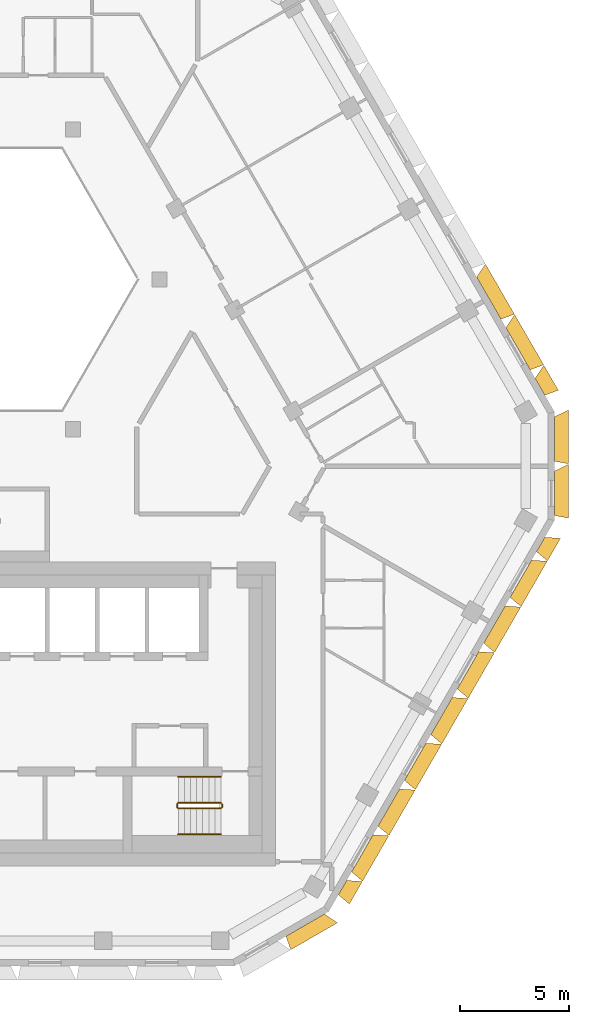
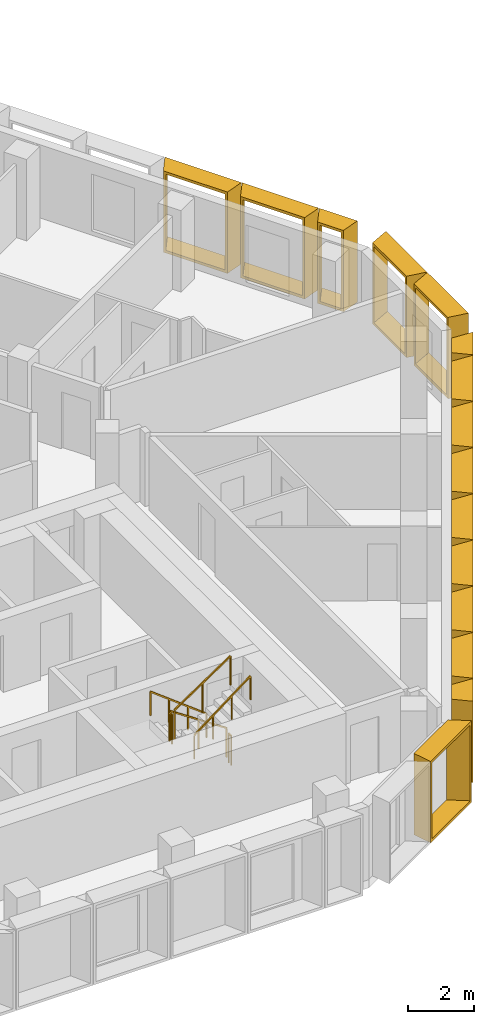
# One storey, part 14 of 15: 15 shading devices, 6 railings.
"""IFC4 building model written with IfcOpenShell, lengths in metres."""

from ifc_helpers import new_model, entity, si_unit, direction, frame, origin, origin_2d, place, context, subcontext, project, spatial, rectangle, extrude, source, transform, mapped, material, type_object, type_shapes, element, save


model = new_model("IFC4")

# Units and contexts
model_context = context("Model", 3, precision=1e-05, world=origin(), true_north=direction((0.0, 1.0)))
body_context = subcontext(model_context, "Body", "Model", "MODEL_VIEW")
ifc_project = project(units=[si_unit("LENGTHUNIT", "METRE"), si_unit("AREAUNIT", "SQUARE_METRE"), si_unit("VOLUMEUNIT", "CUBIC_METRE"), si_unit("PLANEANGLEUNIT", "RADIAN"), si_unit("MASSUNIT", "GRAM", prefix="KILO")], contexts=[model_context])

# Site, building, storey
site_placement = place(None, origin())
site = spatial("IfcSite", under=ifc_project, at=site_placement, CompositionType="ELEMENT")
building_placement = place(site_placement, origin())
building = spatial("IfcBuilding", under=site, at=building_placement, Name="Beryl Residences", CompositionType="ELEMENT")
storey_placement = place(building_placement, frame((0.0, 0.0, 187.199951171875)))
storey = spatial("IfcBuildingStorey", under=building, at=storey_placement, Name="L57", CompositionType="ELEMENT", Elevation=187.199951171875)

# Shading devices
ifc_material_1 = material(Name="Aluminium pale anodised", Category="aluminium")
shading_device_type_1 = type_object("IfcShadingDeviceType", Name="FR122-65C OUTER SKIN frame 650 mm deep, splay 10/26 deg, 1220 x 3000 mm cell", PredefinedType="USERDEFINED", material=ifc_material_1)
cartesian_point_1 = entity("IfcCartesianPoint", [-0.384033203125, 0.0])
cartesian_point_2 = entity("IfcCartesianPoint", [-0.302734375, 0.10009765625])
cartesian_point_3 = entity("IfcCartesianPoint", [-0.49853515625, 0.0])
cartesian_point_4 = entity("IfcCartesianPoint", [-0.41748046875, 0.10009765625])
shared_shape_1 = source(origin(), body_context, "Body", "SweptSolid", [
    entity("IfcExtrudedAreaSolidTapered", entity("IfcArbitraryProfileDefWithVoids", "AREA", None, entity("IfcPolyline", [cartesian_point_1, entity("IfcCartesianPoint", [0.384033203125, 0.0]), entity("IfcCartesianPoint", [0.384033203125, 3.0]), entity("IfcCartesianPoint", [-0.384033203125, 3.0]), cartesian_point_1]), [entity("IfcPolyline", [cartesian_point_2, entity("IfcCartesianPoint", [0.294921875, 0.10009765625]), entity("IfcCartesianPoint", [0.294921875, 2.89990234375]), entity("IfcCartesianPoint", [-0.302734375, 2.89990234375]), cartesian_point_2])]), entity("IfcAxis2Placement3D", entity("IfcCartesianPoint", [0.0, 0.0, 0.0]), entity("IfcDirection", [0.0, 1.0, 0.0]), entity("IfcDirection", [-1.0, 0.0, 0.0])), entity("IfcDirection", [0.0, 0.0, 1.0]), 0.64990234375, entity("IfcArbitraryProfileDefWithVoids", "AREA", None, entity("IfcPolyline", [cartesian_point_3, entity("IfcCartesianPoint", [0.700927734375, 0.0]), entity("IfcCartesianPoint", [0.700927734375, 3.0]), entity("IfcCartesianPoint", [-0.49853515625, 3.0]), cartesian_point_3]), [entity("IfcPolyline", [cartesian_point_4, entity("IfcCartesianPoint", [0.612060546875, 0.10009765625]), entity("IfcCartesianPoint", [0.612060546875, 2.89990234375]), entity("IfcCartesianPoint", [-0.41748046875, 2.89990234375]), cartesian_point_4])])),
])
type_shapes(shading_device_type_1, [shared_shape_1])
for number, where, z_axis, x_axis, name in (
    (1, (16.39697265625, -19.9990234375, 0.0), (0.0, 0.0, 1.0), (-0.5, -0.866025403784, 0.0), "FR122-65C frame L57 SE 1"),
    (2, (25.51611328125, -4.202880859375, 0.0), (0.0, 0.0, 1.0), (-0.5, -0.866025403784, 0.0), "FR122-65C frame L57 SE 9"),
):
    element("IfcShadingDevice", number, at=place(storey_placement, frame(where, z_axis=z_axis, x_axis=x_axis)), inside=storey, type_object=shading_device_type_1, Name=name, ObjectType="OUTER SKIN", PredefinedType="USERDEFINED", context=body_context, shape_type="MappedRepresentation", body=[
        mapped(shared_shape_1, transform((0.0, 0.0, 0.0))),
    ])
ifc_material_2 = material(Name="Aluminium pale anodised", Category="aluminium")
shading_device_type_2 = type_object("IfcShadingDeviceType", Name="FR135-65C OUTER SKIN frame 650 mm deep, splay 10/26 deg, 1350 x 3000 mm cell", PredefinedType="USERDEFINED", material=ifc_material_2)
cartesian_point_5 = entity("IfcCartesianPoint", [-0.448974609375, 0.0])
cartesian_point_6 = entity("IfcCartesianPoint", [-0.36767578125, 0.10009765625])
cartesian_point_7 = entity("IfcCartesianPoint", [-0.563720703125, 0.0])
cartesian_point_8 = entity("IfcCartesianPoint", [-0.482421875, 0.10009765625])
shared_shape_2 = source(origin(), body_context, "Body", "SweptSolid", [
    entity("IfcExtrudedAreaSolidTapered", entity("IfcArbitraryProfileDefWithVoids", "AREA", None, entity("IfcPolyline", [cartesian_point_5, entity("IfcCartesianPoint", [0.448974609375, 0.0]), entity("IfcCartesianPoint", [0.448974609375, 3.0]), entity("IfcCartesianPoint", [-0.448974609375, 3.0]), cartesian_point_5]), [entity("IfcPolyline", [cartesian_point_6, entity("IfcCartesianPoint", [0.360107421875, 0.10009765625]), entity("IfcCartesianPoint", [0.360107421875, 2.89990234375]), entity("IfcCartesianPoint", [-0.36767578125, 2.89990234375]), cartesian_point_6])]), entity("IfcAxis2Placement3D", entity("IfcCartesianPoint", [0.0, 0.0, 0.0]), entity("IfcDirection", [0.0, 1.0, 0.0]), entity("IfcDirection", [-1.0, 0.0, 0.0])), entity("IfcDirection", [0.0, 0.0, 1.0]), 0.64990234375, entity("IfcArbitraryProfileDefWithVoids", "AREA", None, entity("IfcPolyline", [cartesian_point_7, entity("IfcCartesianPoint", [0.76611328125, 0.0]), entity("IfcCartesianPoint", [0.76611328125, 3.0]), entity("IfcCartesianPoint", [-0.563720703125, 3.0]), cartesian_point_7]), [entity("IfcPolyline", [cartesian_point_8, entity("IfcCartesianPoint", [0.677001953125, 0.10009765625]), entity("IfcCartesianPoint", [0.677001953125, 2.89990234375]), entity("IfcCartesianPoint", [-0.482421875, 2.89990234375]), cartesian_point_8])])),
])
type_shapes(shading_device_type_2, [shared_shape_2])
shading_device_placement = place(storey_placement, frame((25.485107421875, 3.056884765625, 0.0), z_axis=(0.0, 0.0, 1.0), x_axis=(0.5, -0.866025403784, 0.0)))
element("IfcShadingDevice", 3, at=shading_device_placement, inside=storey, type_object=shading_device_type_2, Name="FR135-65C frame L57 NE 1", ObjectType="OUTER SKIN", PredefinedType="USERDEFINED", context=body_context, shape_type="MappedRepresentation", body=[
    mapped(shared_shape_2, transform((0.0, 0.0, 0.0))),
])
ifc_material_3 = material(Name="Aluminium pale anodised", Category="aluminium")
shading_device_type_3 = type_object("IfcShadingDeviceType", Name="FR243-65C OUTER SKIN frame 650 mm deep, splay 10/26 deg, 2430 x 3000 mm cell", PredefinedType="USERDEFINED", material=ifc_material_3)
cartesian_point_9 = entity("IfcCartesianPoint", [-0.989013671875, 0.0])
cartesian_point_10 = entity("IfcCartesianPoint", [-0.90771484375, 0.10009765625])
cartesian_point_11 = entity("IfcCartesianPoint", [-1.103515625, 0.0])
cartesian_point_12 = entity("IfcCartesianPoint", [-1.0224609375, 0.10009765625])
shared_shape_3 = source(origin(), body_context, "Body", "SweptSolid", [
    entity("IfcExtrudedAreaSolidTapered", entity("IfcArbitraryProfileDefWithVoids", "AREA", None, entity("IfcPolyline", [cartesian_point_9, entity("IfcCartesianPoint", [0.989013671875, 0.0]), entity("IfcCartesianPoint", [0.989013671875, 3.0]), entity("IfcCartesianPoint", [-0.989013671875, 3.0]), cartesian_point_9]), [entity("IfcPolyline", [cartesian_point_10, entity("IfcCartesianPoint", [0.89990234375, 0.10009765625]), entity("IfcCartesianPoint", [0.89990234375, 2.89990234375]), entity("IfcCartesianPoint", [-0.90771484375, 2.89990234375]), cartesian_point_10])]), entity("IfcAxis2Placement3D", entity("IfcCartesianPoint", [0.0, 0.0, 0.0]), entity("IfcDirection", [0.0, 1.0, 0.0]), entity("IfcDirection", [-1.0, 0.0, 0.0])), entity("IfcDirection", [0.0, 0.0, 1.0]), 0.64990234375, entity("IfcArbitraryProfileDefWithVoids", "AREA", None, entity("IfcPolyline", [cartesian_point_11, entity("IfcCartesianPoint", [1.305908203125, 0.0]), entity("IfcCartesianPoint", [1.305908203125, 3.0]), entity("IfcCartesianPoint", [-1.103515625, 3.0]), cartesian_point_11]), [entity("IfcPolyline", [cartesian_point_12, entity("IfcCartesianPoint", [1.217041015625, 0.10009765625]), entity("IfcCartesianPoint", [1.217041015625, 2.89990234375]), entity("IfcCartesianPoint", [-1.0224609375, 2.89990234375]), cartesian_point_12])])),
])
type_shapes(shading_device_type_3, [shared_shape_3])
for number, where, z_axis, x_axis, name in (
    (4, (17.30908203125, -18.4189453125, 0.0), (0.0, 0.0, 1.0), (-0.5, -0.866025403784, 0.0), "FR243-65C frame L57 SE 2"),
    (5, (18.52490234375, -16.31298828125, 0.0), (0.0, 0.0, 1.0), (-0.5, -0.866025403784, 0.0), "FR243-65C frame L57 SE 3"),
    (6, (19.740966796875, -14.20703125, 0.0), (0.0, 0.0, 1.0), (-0.5, -0.866025403784, 0.0), "FR243-65C frame L57 SE 4"),
    (7, (20.95703125, -12.10107421875, 0.0), (0.0, 0.0, 1.0), (-0.5, -0.866025403784, 0.0), "FR243-65C frame L57 SE 5"),
    (8, (22.172119140625, -9.9951171875, 0.0), (0.0, 0.0, 1.0), (-0.5, -0.866025403784, 0.0), "FR243-65C frame L57 SE 6"),
    (9, (23.387939453125, -7.888916015625, 0.0), (0.0, 0.0, 1.0), (-0.5, -0.866025403784, 0.0), "FR243-65C frame L57 SE 7"),
    (10, (24.60400390625, -5.781982421875, 0.0), (0.0, 0.0, 1.0), (-0.5, -0.866025403784, 0.0), "FR243-65C frame L57 SE 8"),
):
    element("IfcShadingDevice", number, at=place(storey_placement, frame(where, z_axis=z_axis, x_axis=x_axis)), inside=storey, type_object=shading_device_type_3, Name=name, ObjectType="OUTER SKIN", PredefinedType="USERDEFINED", context=body_context, shape_type="MappedRepresentation", body=[
        mapped(shared_shape_3, transform((0.0, 0.0, 0.0))),
    ])
ifc_material_4 = material(Name="Aluminium pale anodised", Category="aluminium")
shading_device_type_4 = type_object("IfcShadingDeviceType", Name="FR250-65C OUTER SKIN frame 650 mm deep, splay 10/26 deg, 2500 x 3000 mm cell", PredefinedType="USERDEFINED", material=ifc_material_4)
cartesian_point_13 = entity("IfcCartesianPoint", [-1.02392578125, 0.0])
cartesian_point_14 = entity("IfcCartesianPoint", [-0.94287109375, 0.10009765625])
cartesian_point_15 = entity("IfcCartesianPoint", [-1.138671875, 0.0])
cartesian_point_16 = entity("IfcCartesianPoint", [-1.057373046875, 0.10009765625])
shared_shape_4 = source(origin(), body_context, "Body", "SweptSolid", [
    entity("IfcExtrudedAreaSolidTapered", entity("IfcArbitraryProfileDefWithVoids", "AREA", None, entity("IfcPolyline", [cartesian_point_13, entity("IfcCartesianPoint", [1.02392578125, 0.0]), entity("IfcCartesianPoint", [1.02392578125, 3.0]), entity("IfcCartesianPoint", [-1.02392578125, 3.0]), cartesian_point_13]), [entity("IfcPolyline", [cartesian_point_14, entity("IfcCartesianPoint", [0.93505859375, 0.10009765625]), entity("IfcCartesianPoint", [0.93505859375, 2.89990234375]), entity("IfcCartesianPoint", [-0.94287109375, 2.89990234375]), cartesian_point_14])]), entity("IfcAxis2Placement3D", entity("IfcCartesianPoint", [0.0, 0.0, 0.0]), entity("IfcDirection", [0.0, 1.0, 0.0]), entity("IfcDirection", [-1.0, 0.0, 0.0])), entity("IfcDirection", [0.0, 0.0, 1.0]), 0.64990234375, entity("IfcArbitraryProfileDefWithVoids", "AREA", None, entity("IfcPolyline", [cartesian_point_15, entity("IfcCartesianPoint", [1.341064453125, 0.0]), entity("IfcCartesianPoint", [1.341064453125, 3.0]), entity("IfcCartesianPoint", [-1.138671875, 3.0]), cartesian_point_15]), [entity("IfcPolyline", [cartesian_point_16, entity("IfcCartesianPoint", [1.251953125, 0.10009765625]), entity("IfcCartesianPoint", [1.251953125, 2.89990234375]), entity("IfcCartesianPoint", [-1.057373046875, 2.89990234375]), cartesian_point_16])])),
])
type_shapes(shading_device_type_4, [shared_shape_4])
for number, where, z_axis, x_axis, name in (
    (11, (14.677978515625, -21.72509765625, 0.0), (0.0, 0.0, 1.0), (-0.866025403784, -0.5, 0.0), "FR250-65C frame L57 S-SE 2"),
    (12, (26.154052734375, -1.85009765625, 0.0), (0.0, 0.0, 1.0), (0.0, -1.0, 0.0), "FR250-65C frame L57 SE-NE 1"),
    (13, (26.154052734375, 0.64990234375, 0.0), (0.0, 0.0, 1.0), (0.0, -1.0, 0.0), "FR250-65C frame L57 SE-NE 2"),
):
    element("IfcShadingDevice", number, at=place(storey_placement, frame(where, z_axis=z_axis, x_axis=x_axis)), inside=storey, type_object=shading_device_type_4, Name=name, ObjectType="OUTER SKIN", PredefinedType="USERDEFINED", context=body_context, shape_type="MappedRepresentation", body=[
        mapped(shared_shape_4, transform((0.0, 0.0, 0.0))),
    ])
ifc_material_5 = material(Name="Aluminium pale anodised", Category="aluminium")
shading_device_type_5 = type_object("IfcShadingDeviceType", Name="FR269-65C OUTER SKIN frame 650 mm deep, splay 10/26 deg, 2690 x 3000 mm cell", PredefinedType="USERDEFINED", material=ifc_material_5)
cartesian_point_17 = entity("IfcCartesianPoint", [-1.118896484375, 0.0])
cartesian_point_18 = entity("IfcCartesianPoint", [-1.037841796875, 0.10009765625])
cartesian_point_19 = entity("IfcCartesianPoint", [-1.233642578125, 0.0])
cartesian_point_20 = entity("IfcCartesianPoint", [-1.15234375, 0.10009765625])
shared_shape_5 = source(origin(), body_context, "Body", "SweptSolid", [
    entity("IfcExtrudedAreaSolidTapered", entity("IfcArbitraryProfileDefWithVoids", "AREA", None, entity("IfcPolyline", [cartesian_point_17, entity("IfcCartesianPoint", [1.118896484375, 0.0]), entity("IfcCartesianPoint", [1.118896484375, 3.0]), entity("IfcCartesianPoint", [-1.118896484375, 3.0]), cartesian_point_17]), [entity("IfcPolyline", [cartesian_point_18, entity("IfcCartesianPoint", [1.030029296875, 0.10009765625]), entity("IfcCartesianPoint", [1.030029296875, 2.89990234375]), entity("IfcCartesianPoint", [-1.037841796875, 2.89990234375]), cartesian_point_18])]), entity("IfcAxis2Placement3D", entity("IfcCartesianPoint", [0.0, 0.0, 0.0]), entity("IfcDirection", [0.0, 1.0, 0.0]), entity("IfcDirection", [-1.0, 0.0, 0.0])), entity("IfcDirection", [0.0, 0.0, 1.0]), 0.64990234375, entity("IfcArbitraryProfileDefWithVoids", "AREA", None, entity("IfcPolyline", [cartesian_point_19, entity("IfcCartesianPoint", [1.43603515625, 0.0]), entity("IfcCartesianPoint", [1.43603515625, 3.0]), entity("IfcCartesianPoint", [-1.233642578125, 3.0]), cartesian_point_19]), [entity("IfcPolyline", [cartesian_point_20, entity("IfcCartesianPoint", [1.346923828125, 0.10009765625]), entity("IfcCartesianPoint", [1.346923828125, 2.89990234375]), entity("IfcCartesianPoint", [-1.15234375, 2.89990234375]), cartesian_point_20])])),
])
type_shapes(shading_device_type_5, [shared_shape_5])
for number, where, z_axis, x_axis, name in (
    (14, (24.47607421875, 4.805908203125, 0.0), (0.0, 0.0, 1.0), (0.5, -0.866025403784, 0.0), "FR269-65C frame L57 NE 2"),
    (15, (23.1298828125, 7.136962890625, 0.0), (0.0, 0.0, 1.0), (0.5, -0.866025403784, 0.0), "FR269-65C frame L57 NE 3"),
):
    element("IfcShadingDevice", number, at=place(storey_placement, frame(where, z_axis=z_axis, x_axis=x_axis)), inside=storey, type_object=shading_device_type_5, Name=name, ObjectType="OUTER SKIN", PredefinedType="USERDEFINED", context=body_context, shape_type="MappedRepresentation", body=[
        mapped(shared_shape_5, transform((0.0, 0.0, 0.0))),
    ])

# Railings
ifc_material_6 = material(Name="Stainless steel balustrade with glass infill", Category="steel")
railing_type_1 = type_object("IfcRailingType", Name="SG1 stair guard 1100 mm", PredefinedType="GUARDRAIL", material=ifc_material_6)
railing_1_placement = place(storey_placement, frame((10.800048828125, -16.10009765625, 0.1875)))
element("IfcRailing", 16, at=railing_1_placement, inside=storey, type_object=railing_type_1, Name="L57 ST-3 stair guard 1", PredefinedType="GUARDRAIL", context=body_context, shape_type="SweptSolid", body=[
    extrude(rectangle(XDim=0.048095703125, YDim=0.048095703125, at=origin_2d()), frame((0.0, 0.0, 1.076171875), z_axis=(-0.830902050051, 0.0, 0.556418712142), x_axis=(0.0, -1.0, 0.0)), (0.0, 0.0, 1.0), 2.35888671875),
    extrude(rectangle(XDim=0.0419921875, YDim=0.0419921875, at=origin_2d()), origin(), (0.0, 0.0, 1.0), 1.052001953125),
    extrude(rectangle(XDim=0.0419921875, YDim=0.0419921875, at=origin_2d()), frame((-0.97998046875, 0.0, 0.65625)), (0.0, 0.0, 1.0), 1.052001953125),
    extrude(rectangle(XDim=0.0419921875, YDim=0.0419921875, at=origin_2d()), frame((-1.9599609375, 0.0, 1.3125)), (0.0, 0.0, 1.0), 1.052001953125),
])
railing_2_placement = place(storey_placement, frame((8.7900390625, -16.14990234375, 1.5)))
element("IfcRailing", 17, at=railing_2_placement, inside=storey, type_object=railing_type_1, Name="L57 ST-3 stair guard 2", PredefinedType="GUARDRAIL", context=body_context, shape_type="SweptSolid", body=[
    extrude(rectangle(XDim=0.048095703125, YDim=0.048095703125, at=origin_2d()), frame((0.0, 0.0, 1.076171875), z_axis=(0.0, -1.0, 0.0), x_axis=(1.0, 0.0, 0.0)), (0.0, 0.0, 1.0), 0.150146484375),
    extrude(rectangle(XDim=0.0419921875, YDim=0.0419921875, at=origin_2d()), origin(), (0.0, 0.0, 1.0), 1.052001953125),
    extrude(rectangle(XDim=0.0419921875, YDim=0.0419921875, at=origin_2d()), frame((0.0, -0.150146484375, 0.0)), (0.0, 0.0, 1.0), 1.052001953125),
])
railing_3_placement = place(storey_placement, frame((8.840087890625, -16.35009765625, 1.6875)))
element("IfcRailing", 18, at=railing_3_placement, inside=storey, type_object=railing_type_1, Name="L57 ST-3 stair guard 3", PredefinedType="GUARDRAIL", context=body_context, shape_type="SweptSolid", body=[
    extrude(rectangle(XDim=0.048095703125, YDim=0.048095703125, at=origin_2d()), frame((0.0, 0.0, 1.076171875), z_axis=(0.830902050051, 0.0, 0.556418712142), x_axis=(0.0, 1.0, 0.0)), (0.0, 0.0, 1.0), 2.35888671875),
    extrude(rectangle(XDim=0.0419921875, YDim=0.0419921875, at=origin_2d()), origin(), (0.0, 0.0, 1.0), 1.052001953125),
    extrude(rectangle(XDim=0.0419921875, YDim=0.0419921875, at=origin_2d()), frame((0.97998046875, 0.0, 0.65625)), (0.0, 0.0, 1.0), 1.052001953125),
    extrude(rectangle(XDim=0.0419921875, YDim=0.0419921875, at=origin_2d()), frame((1.9599609375, 0.0, 1.3125)), (0.0, 0.0, 1.0), 1.052001953125),
])
railing_4_placement = place(storey_placement, frame((10.85009765625, -16.14990234375, 0.0)))
element("IfcRailing", 19, at=railing_4_placement, inside=storey, type_object=railing_type_1, Name="L57 ST-3 stair guard 4", PredefinedType="GUARDRAIL", context=body_context, shape_type="SweptSolid", body=[
    extrude(rectangle(XDim=0.048095703125, YDim=0.048095703125, at=origin_2d()), frame((0.0, 0.0, 1.076171875), z_axis=(0.0, -1.0, 0.0), x_axis=(1.0, 0.0, 0.0)), (0.0, 0.0, 1.0), 0.150146484375),
    extrude(rectangle(XDim=0.0419921875, YDim=0.0419921875, at=origin_2d()), origin(), (0.0, 0.0, 1.0), 1.052001953125),
    extrude(rectangle(XDim=0.0419921875, YDim=0.0419921875, at=origin_2d()), frame((0.0, -0.150146484375, 0.0)), (0.0, 0.0, 1.0), 1.052001953125),
])
ifc_material_7 = material(Name="Stainless steel handrail", Category="steel")
railing_type_2 = type_object("IfcRailingType", Name="SRL1 stair handrail 900 mm", PredefinedType="HANDRAIL", material=ifc_material_7)
railing_5_placement = place(storey_placement, frame((10.800048828125, -14.89990234375, 0.1875)))
element("IfcRailing", 20, at=railing_5_placement, inside=storey, type_object=railing_type_2, Name="L57 ST-3 stair handrail 1", PredefinedType="HANDRAIL", context=body_context, shape_type="SweptSolid", body=[
    extrude(rectangle(XDim=0.048095703125, YDim=0.048095703125, at=origin_2d()), frame((0.0, 0.0, 0.8759765625), z_axis=(-0.794121922505, 0.0, 0.607758481798), x_axis=(0.0, -1.0, 0.0)), (0.0, 0.0, 1.0), 2.468017578125),
    extrude(rectangle(XDim=0.0419921875, YDim=0.0419921875, at=origin_2d()), origin(), (0.0, 0.0, 1.0), 0.851806640625),
    extrude(rectangle(XDim=0.0419921875, YDim=0.0419921875, at=origin_2d()), frame((-0.6533203125, 0.0, 0.5)), (0.0, 0.0, 1.0), 0.851806640625),
    extrude(rectangle(XDim=0.0419921875, YDim=0.0419921875, at=origin_2d()), frame((-1.306640625, 0.0, 1.0)), (0.0, 0.0, 1.0), 0.851806640625),
    extrude(rectangle(XDim=0.0419921875, YDim=0.0419921875, at=origin_2d()), frame((-1.9599609375, 0.0, 1.5)), (0.0, 0.0, 1.0), 0.851806640625),
])
railing_6_placement = place(storey_placement, frame((8.840087890625, -17.550048828125, 1.6875)))
element("IfcRailing", 21, at=railing_6_placement, inside=storey, type_object=railing_type_2, Name="L57 ST-3 stair handrail 2", PredefinedType="HANDRAIL", context=body_context, shape_type="SweptSolid", body=[
    extrude(rectangle(XDim=0.048095703125, YDim=0.048095703125, at=origin_2d()), frame((0.0, 0.0, 0.8759765625), z_axis=(0.794121922505, 0.0, 0.607758481798), x_axis=(0.0, 1.0, 0.0)), (0.0, 0.0, 1.0), 2.468017578125),
    extrude(rectangle(XDim=0.0419921875, YDim=0.0419921875, at=origin_2d()), origin(), (0.0, 0.0, 1.0), 0.851806640625),
    extrude(rectangle(XDim=0.0419921875, YDim=0.0419921875, at=origin_2d()), frame((0.6533203125, 0.0, 0.5)), (0.0, 0.0, 1.0), 0.851806640625),
    extrude(rectangle(XDim=0.0419921875, YDim=0.0419921875, at=origin_2d()), frame((1.306640625, 0.0, 1.0)), (0.0, 0.0, 1.0), 0.851806640625),
    extrude(rectangle(XDim=0.0419921875, YDim=0.0419921875, at=origin_2d()), frame((1.9599609375, 0.0, 1.5)), (0.0, 0.0, 1.0), 0.851806640625),
])

save(model, "model.ifc")
